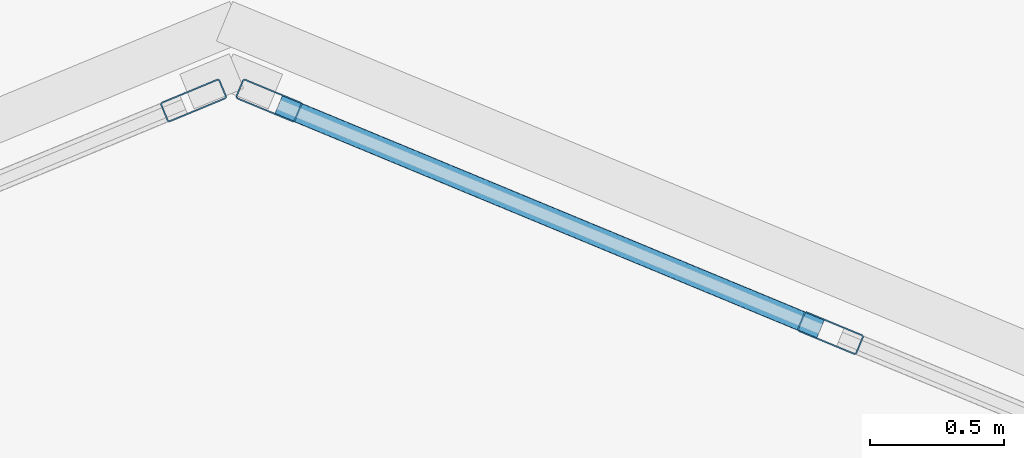
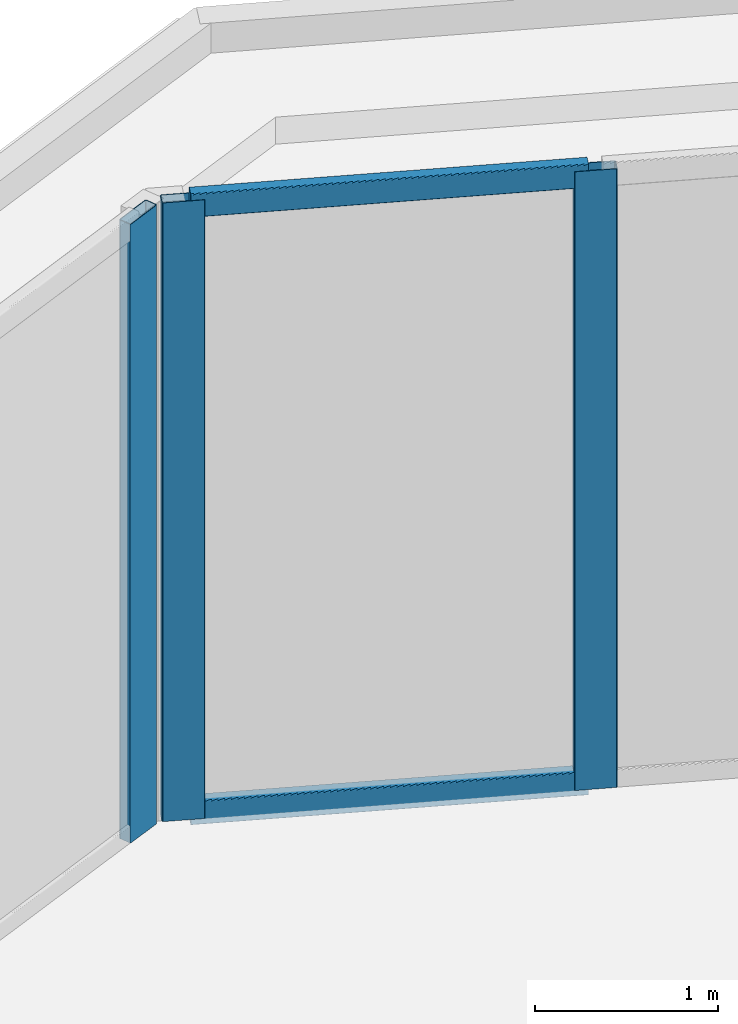
# One storey, part 8 of 11: 5 members, 2 elements without a shape of their own.
"""IFC4 building model written with IfcOpenShell, lengths in metres."""

from ifc_helpers import new_model, si_unit, direction, frame, origin, origin_2d, place, context, subcontext, project, spatial, hollow_rectangle, extrude, source, transform, mapped, material, material_profile, profile_set, type_object, element, aggregate, save


model = new_model("IFC4")

# Units and contexts
model_context = context("Model", 3, precision=1e-05, world=origin(), true_north=direction((0.0, 1.0)))
body_context = subcontext(model_context, "Body", "Model", "MODEL_VIEW")
ifc_project = project(units=[si_unit("LENGTHUNIT", "METRE"), si_unit("AREAUNIT", "SQUARE_METRE"), si_unit("VOLUMEUNIT", "CUBIC_METRE"), si_unit("PLANEANGLEUNIT", "RADIAN"), si_unit("MASSUNIT", "GRAM", prefix="KILO")], contexts=[model_context])

# Site, building, storey
site_placement = place(None, origin())
site = spatial("IfcSite", under=ifc_project, at=site_placement, CompositionType="ELEMENT")
building_placement = place(site_placement, origin())
building = spatial("IfcBuilding", under=site, at=building_placement, Name="Torre Montelarca", CompositionType="ELEMENT")
storey_placement = place(building_placement, frame((0.0, 0.0, 366.0)))
storey = spatial("IfcBuildingStorey", under=building, at=storey_placement, Name="L82", CompositionType="ELEMENT", Elevation=366.0)

# Curtain wall, members
ifc_material_1 = material(Name="Amber translucent laminated glass", Category="glass")
curtain_wall_type = type_object("IfcCurtainWallType", Name="CW-SYS-LANT", PredefinedType="USERDEFINED", material=ifc_material_1)
curtain_wall_1_placement = place(storey_placement, origin())
curtain_wall_1 = element("IfcCurtainWall", 1, at=curtain_wall_1_placement, inside=storey, type_object=curtain_wall_type, Name="L82 Curtain Wall Run CW-T3-L82-E06-B1", ObjectType="TRANSLUCENT LANTERN", PredefinedType="USERDEFINED")
ifc_material_2 = material(Name="Anodised aluminium AA 6063-T6", Category="aluminium")
ifc_material_profile_1 = material_profile(ifc_material_2, hollow_rectangle(XDim=0.080078125, YDim=0.239990234375, WallThickness=0.0048828125, InnerFilletRadius=0.0048828125, OuterFilletRadius=0.010009765625, at=origin_2d()), Name="ALU80X240X5", Category="aluminium")
ifc_profile_set_1 = profile_set([ifc_material_profile_1], Name="Anodised aluminium AA 6063-T6")
member_type_1 = type_object("IfcMemberType", Name="CWM-ALU240", PredefinedType="MULLION", material=ifc_profile_set_1)
shared_shape_1 = source(origin(), body_context, "Body", "SweptSolid", [
    extrude(hollow_rectangle(XDim=0.080078125, YDim=0.239990234375, WallThickness=0.0048828125, InnerFilletRadius=0.0048828125, OuterFilletRadius=0.010009765625, at=origin_2d()), origin(), (0.0, 0.0, 1.0), 4.1201171875),
])
member_1_placement = place(storey_placement, frame((24.569091796875, 46.43115234375, 0.0), z_axis=(0.0, 0.0, 1.0), x_axis=(-0.382675639152, -0.923882760527, 0.0)))
member_1 = element("IfcMember", 2, at=member_1_placement, type_object=member_type_1, Name="CW mullion 2", PredefinedType="MULLION", context=body_context, shape_type="MappedRepresentation", body=[
    mapped(shared_shape_1, transform((0.0, 0.0, 0.0), scale=1.0)),
])
member_2_placement = place(storey_placement, frame((22.472900390625, 47.29931640625, 0.0), z_axis=(0.0, 0.0, 1.0), x_axis=(-0.382675639152, -0.923882760527, 0.0)))
member_2 = element("IfcMember", 3, at=member_2_placement, type_object=member_type_1, Name="CW mullion 3", PredefinedType="MULLION", context=body_context, shape_type="MappedRepresentation", body=[
    mapped(shared_shape_1, transform((0.0, 0.0, 0.0), scale=1.0)),
])

# Curtain wall, member
curtain_wall_2_placement = place(storey_placement, origin())
curtain_wall_2 = element("IfcCurtainWall", 4, at=curtain_wall_2_placement, inside=storey, type_object=curtain_wall_type, Name="L82 Curtain Wall Run CW-T3-L82-E07-B1", ObjectType="TRANSLUCENT LANTERN", PredefinedType="USERDEFINED")
member_3_placement = place(storey_placement, frame((22.19189453125, 47.29931640625, 0.0), z_axis=(0.0, 0.0, 1.0), x_axis=(0.382684503805, -0.923879088705, 0.0)))
member_3 = element("IfcMember", 5, at=member_3_placement, type_object=member_type_1, Name="CW mullion 1", PredefinedType="MULLION", context=body_context, shape_type="MappedRepresentation", body=[
    mapped(shared_shape_1, transform((0.0, 0.0, 0.0), scale=1.0)),
])
aggregate(curtain_wall_2, [member_3])

# Member
ifc_material_profile_2 = material_profile(ifc_material_2, hollow_rectangle(XDim=0.074951171875, YDim=0.159912109375, WallThickness=0.0048828125, InnerFilletRadius=0.0048828125, OuterFilletRadius=0.010009765625, at=origin_2d()), Name="ALU75X160X5", Category="aluminium")
ifc_profile_set_2 = profile_set([ifc_material_profile_2], Name="Anodised aluminium AA 6063-T6")
member_type_2 = type_object("IfcMemberType", Name="CWT-ALU160", PredefinedType="USERDEFINED", material=ifc_profile_set_2)
shared_shape_2 = source(origin(), body_context, "Body", "SweptSolid", [
    extrude(hollow_rectangle(XDim=0.074951171875, YDim=0.159912109375, WallThickness=0.0048828125, InnerFilletRadius=0.0048828125, OuterFilletRadius=0.010009765625, at=origin_2d()), origin(), (0.0, 0.0, 1.0), 2.189208984375),
])
member_4_placement = place(storey_placement, frame((24.5322265625, 46.4462890625, 0.03759765625), z_axis=(-0.923853710215, 0.382745766955, 0.0), x_axis=(-0.382745766955, -0.923853710215, 0.0)))
member_4 = element("IfcMember", 6, at=member_4_placement, type_object=member_type_2, Name="CW transom 2.1", ObjectType="TRANSOM", PredefinedType="USERDEFINED", context=body_context, shape_type="MappedRepresentation", body=[
    mapped(shared_shape_2, transform((0.0, 0.0, 0.0), scale=1.0)),
])

member_5_placement = place(storey_placement, frame((24.5322265625, 46.4462890625, 4.08251953125), z_axis=(-0.923853710215, 0.382745766955, 0.0), x_axis=(-0.382745766955, -0.923853710215, 0.0)))
member_5 = element("IfcMember", 7, at=member_5_placement, type_object=member_type_2, Name="CW transom 2.2", ObjectType="TRANSOM", PredefinedType="USERDEFINED", context=body_context, shape_type="MappedRepresentation", body=[
    mapped(shared_shape_2, transform((0.0, 0.0, 0.0), scale=1.0)),
])

aggregate(curtain_wall_1, [member_1, member_2, member_4, member_5])

save(model, "model.ifc")
